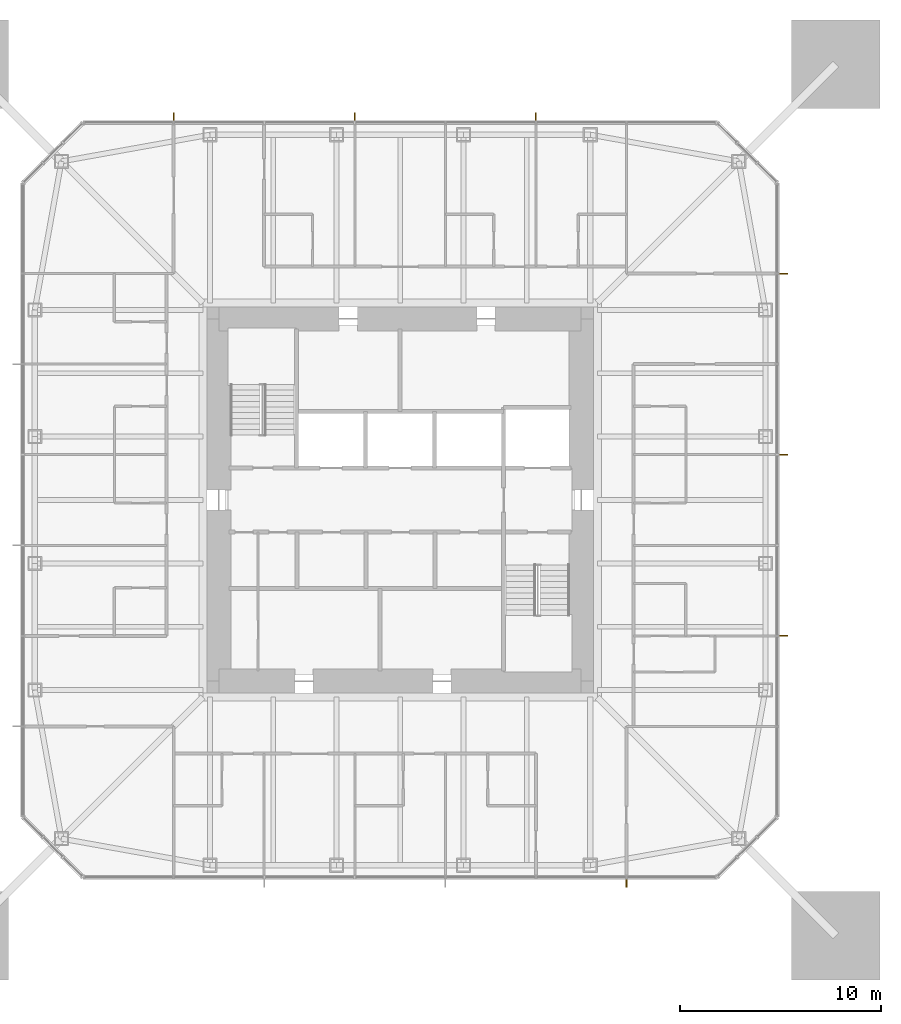
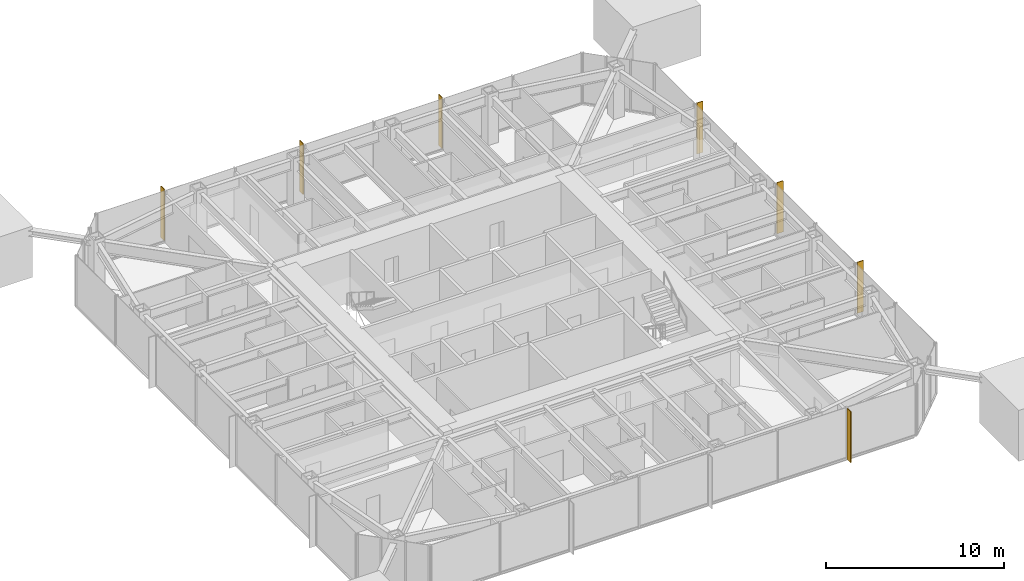
# One storey, part 12 of 12: 7 shading devices.
"""IFC4 building model written with IfcOpenShell, lengths in metres."""

from ifc_helpers import new_model, si_unit, direction, frame, origin, origin_2d, place, context, subcontext, project, spatial, rectangle, extrude, material, layer, layer_set, type_object, element, save


model = new_model("IFC4")

# Units and contexts
model_context = context("Model", 3, precision=1e-05, world=origin(), true_north=direction((0.0, 1.0)))
body_context = subcontext(model_context, "Body", "Model", "MODEL_VIEW")
ifc_project = project(units=[si_unit("LENGTHUNIT", "METRE"), si_unit("AREAUNIT", "SQUARE_METRE"), si_unit("VOLUMEUNIT", "CUBIC_METRE"), si_unit("PLANEANGLEUNIT", "RADIAN"), si_unit("MASSUNIT", "GRAM", prefix="KILO")], contexts=[model_context])

# Site, building, storey
site_placement = place(None, origin())
site = spatial("IfcSite", under=ifc_project, at=site_placement, CompositionType="ELEMENT")
building_placement = place(site_placement, origin())
building = spatial("IfcBuilding", under=site, at=building_placement, Name="Iwan Alto Co-Living Towers", CompositionType="ELEMENT")
storey_placement = place(building_placement, frame((0.0, 0.0, 153.0)))
storey = spatial("IfcBuildingStorey", under=building, at=storey_placement, Name="L41", CompositionType="ELEMENT", Elevation=153.0)

# Shading devices
ifc_material = material(Name="Aluminium 6063-T6 bronze anodised", Category="aluminium")
ifc_layer = layer(ifc_material, 0.050048828125)
ifc_layer_set = layer_set([ifc_layer], Name="BRONZE FIN 50X400")
shading_device_type = type_object("IfcShadingDeviceType", Name="BRONZE FIN 50X400", PredefinedType="USERDEFINED", material=ifc_layer_set)
for number, where, z_axis, x_axis, name in (
    (1, (11.25, -19.050048828125, 0.0), (0.0, 0.0, 1.0), (1.0, 0.0, 0.0), "Bronze fin L41"),
    (2, (19.050048828125, -6.75, 0.0), (0.0, 0.0, 1.0), (0.0, 1.0, 0.0), "Bronze fin L41"),
    (3, (19.050048828125, 2.25, 0.0), (0.0, 0.0, 1.0), (0.0, 1.0, 0.0), "Bronze fin L41"),
    (4, (19.050048828125, 11.25, 0.0), (0.0, 0.0, 1.0), (0.0, 1.0, 0.0), "Bronze fin L41"),
    (5, (6.75, 19.050048828125, 0.0), (0.0, 0.0, 1.0), (-1.0, 0.0, 0.0), "Bronze fin L41"),
    (6, (-2.25, 19.050048828125, 0.0), (0.0, 0.0, 1.0), (-1.0, 0.0, 0.0), "Bronze fin L41"),
    (7, (-11.25, 19.050048828125, 0.0), (0.0, 0.0, 1.0), (-1.0, 0.0, 0.0), "Bronze fin L41"),
):
    element("IfcShadingDevice", number, at=place(storey_placement, frame(where, z_axis=z_axis, x_axis=x_axis)), inside=storey, type_object=shading_device_type, Name=name, ObjectType="LOUVER", PredefinedType="USERDEFINED", context=body_context, shape_type="SweptSolid", body=[
        extrude(rectangle(XDim=0.050048828125, YDim=0.39990234375, at=origin_2d()), origin(), (0.0, 0.0, 1.0), 3.5),
    ])

save(model, "model.ifc")
